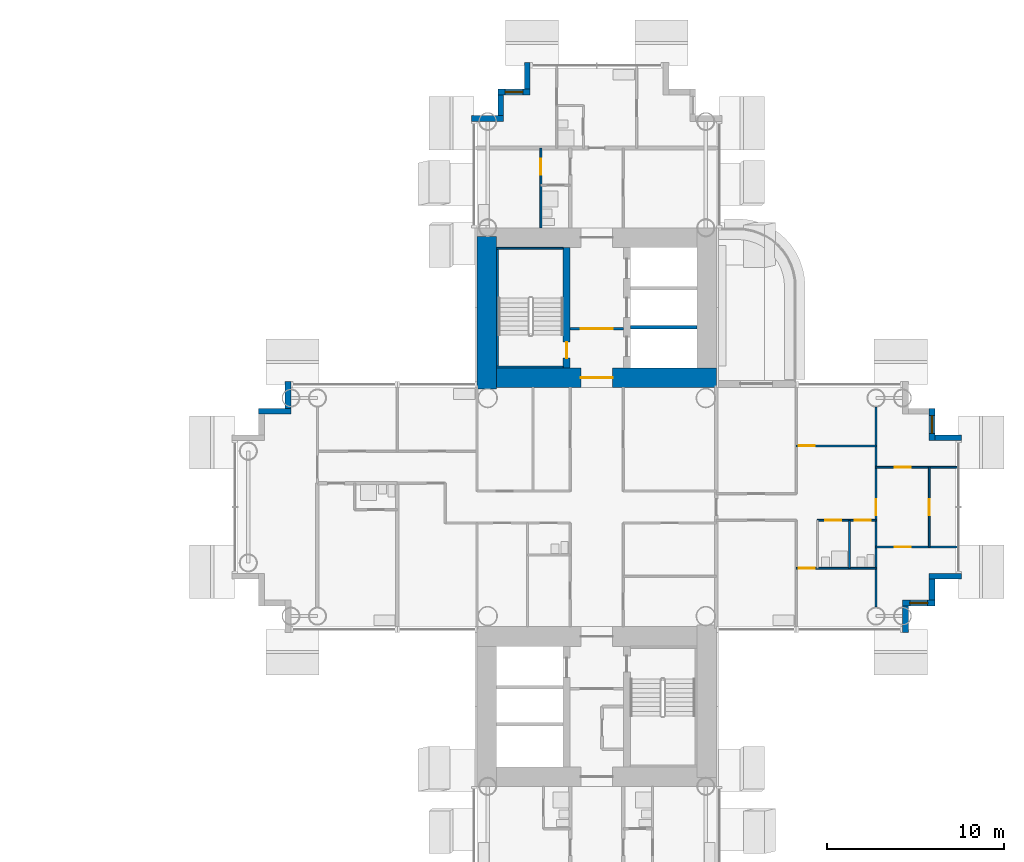
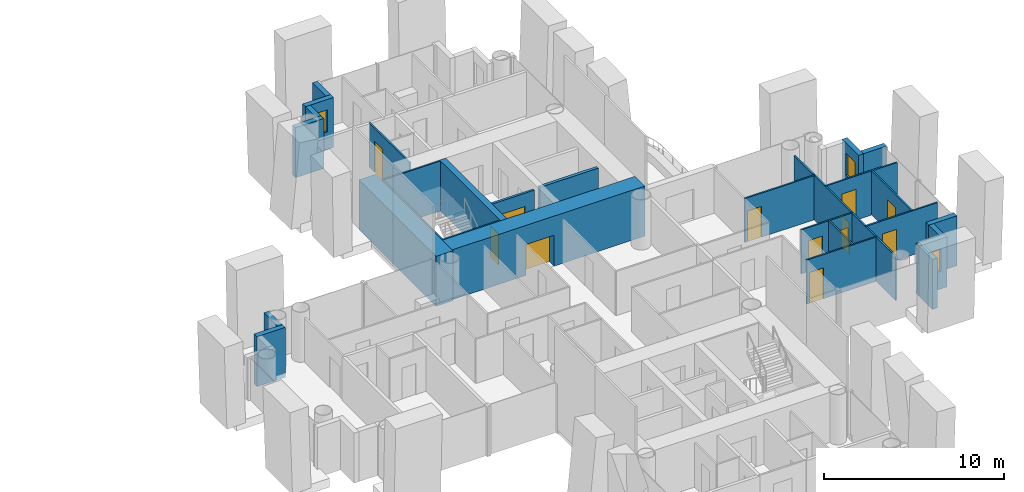
# One storey, part 16 of 25: 29 walls, 12 doors, 3 windows, 15 openings.
"""IFC4 building model written with IfcOpenShell, lengths in metres."""

import ifcopenshell
import ifcopenshell.guid

model = None  # the IFC model being written
_history = None  # IfcOwnerHistory: only IFC2X3 demands one
_inside = {}  # id of a spatial element -> (the spatial element, [elements in it])
_under = {}  # id of a project, library or spatial element -> (it, [spatial elements below it])
_declared = {}  # id of a project -> (the project, [libraries it declares])
_typed = {}  # id of a type object -> (the type object, [elements of that type])
_made_of = {}  # id of a material, layer set ... -> (it, [elements and type objects made of it])


def new_model(schema):
    """Start an empty IFC model of exactly this schema.

    Asked for "IFC4X3", IfcOpenShell would pick the latest addendum, in which some entities
    have other attributes; the version numbers below select the first issue.
    IFC2X3 requires an IfcOwnerHistory on every rooted entity: one is made here for all.
    """
    global model, _history
    if schema == "IFC4X3":
        model = ifcopenshell.file(schema_version=(4, 3, 0, 0))
    else:
        model = ifcopenshell.file(schema=schema)
    _inside.clear()
    _under.clear()
    _declared.clear()
    _typed.clear()
    _made_of.clear()
    _history = None
    if model.schema == "IFC2X3":
        org = make("IfcOrganization", Name="unknown")
        user = make(
            "IfcPersonAndOrganization",
            ThePerson=make("IfcPerson", FamilyName="unknown"),
            TheOrganization=org,
        )
        app = make(
            "IfcApplication",
            ApplicationDeveloper=org,
            Version="unknown",
            ApplicationFullName="unknown",
            ApplicationIdentifier="unknown",
        )
        _history = make(
            "IfcOwnerHistory",
            OwningUser=user,
            OwningApplication=app,
            ChangeAction="ADDED",
            CreationDate=0,
        )
    return model


def make(cls, **values):
    """One entity of the class cls with the attributes given. An attribute that is None is left unset."""
    return model.create_entity(
        cls, **{name: value for name, value in values.items() if value is not None}
    )


def rooted(cls, **values):
    """An entity with a GlobalId (a new one), such as an element, a storey or a relation."""
    return make(cls, GlobalId=ifcopenshell.guid.new(), OwnerHistory=_history, **values)


def si_unit(unit_type, name, prefix=None):
    """IfcSIUnit, for example si_unit("LENGTHUNIT", "METRE", prefix="MILLI")."""
    return make("IfcSIUnit", UnitType=unit_type, Prefix=prefix, Name=name)


def assignment(units):
    """IfcUnitAssignment: the units of a project."""
    return None if units is None else make("IfcUnitAssignment", Units=units)


def point(xyz):
    """IfcCartesianPoint."""
    return None if xyz is None else make("IfcCartesianPoint", Coordinates=xyz)


def direction(xyz):
    """IfcDirection."""
    return None if xyz is None else make("IfcDirection", DirectionRatios=xyz)


def frame(location, z_axis=None, x_axis=None):
    """IfcAxis2Placement3D, a coordinate frame: its origin and axes. An axis left out is left unset."""
    return make(
        "IfcAxis2Placement3D",
        Location=point(location),
        Axis=direction(z_axis),
        RefDirection=direction(x_axis),
    )


def frame_2d(location, x_axis=None):
    """IfcAxis2Placement2D, a coordinate frame in the plane: its origin and x axis."""
    return make(
        "IfcAxis2Placement2D", Location=point(location), RefDirection=direction(x_axis)
    )


def origin():
    """The frame at (0, 0, 0) with its axes left unset."""
    return frame((0.0, 0.0, 0.0))


def place(relative_to, where):
    """IfcLocalPlacement: puts the frame where relative to a parent placement (None: the world)."""
    return make(
        "IfcLocalPlacement", PlacementRelTo=relative_to, RelativePlacement=where
    )


def context(
    kind, dimensions, precision=None, world=None, true_north=None, identifier=None
):
    """IfcGeometricRepresentationContext, for example the 3D "Model" context."""
    return make(
        "IfcGeometricRepresentationContext",
        ContextIdentifier=identifier,
        ContextType=kind,
        CoordinateSpaceDimension=dimensions,
        Precision=precision,
        WorldCoordinateSystem=world,
        TrueNorth=true_north,
    )


def subcontext(parent, identifier, kind, view, scale=None):
    """IfcGeometricRepresentationSubContext, for example "Body" below "Model"."""
    return make(
        "IfcGeometricRepresentationSubContext",
        ContextIdentifier=identifier,
        ContextType=kind,
        ParentContext=parent,
        TargetScale=scale,
        TargetView=view,
    )


def project(units=None, contexts=None):
    """IfcProject with its units and contexts."""
    return rooted(
        "IfcProject",
        Name="project",
        RepresentationContexts=contexts,
        UnitsInContext=assignment(units),
    )


def spatial(cls, under=None, at=None, **own):
    """A site, building, storey or space (cls), placed at a placement, below another one or the project."""
    s = rooted(cls, ObjectPlacement=at, **own)
    if under is not None:
        _under.setdefault(under.id(), (under, []))[1].append(s)
    return s


def profile(cls, at=None, kind="AREA", **sizes):
    """A parametric profile (cls). Its sizes go by their IFC names, for example OverallWidth=200.0."""
    return make(cls, ProfileType=kind, Position=at, **sizes)


def rectangle(**sizes):
    """IfcRectangleProfileDef."""
    return profile("IfcRectangleProfileDef", **sizes)


def extrude(swept, where, along, depth):
    """IfcExtrudedAreaSolid: the profile swept, set in the frame where, extruded along a direction by depth."""
    return make(
        "IfcExtrudedAreaSolid",
        SweptArea=swept,
        Position=where,
        ExtrudedDirection=direction(along),
        Depth=depth,
    )


def shape(context_of_items, identifier, shape_type, items):
    """IfcShapeRepresentation: the items that make up one representation, for example the "Body"."""
    return make(
        "IfcShapeRepresentation",
        ContextOfItems=context_of_items,
        RepresentationIdentifier=identifier,
        RepresentationType=shape_type,
        Items=items,
    )


def material(Name=None, Category=None):
    """IfcMaterial."""
    return make("IfcMaterial", Name=Name, Category=Category)


def layer(
    of_material, thickness, ventilated=None, Name=None, Category=None, Priority=None
):
    """IfcMaterialLayer: one layer of a wall or slab, of a material (None: an air gap)."""
    return make(
        "IfcMaterialLayer",
        Material=of_material,
        LayerThickness=thickness,
        IsVentilated=ventilated,
        Name=Name,
        Category=Category,
        Priority=Priority,
    )


def layer_set(layers, Name=None):
    """IfcMaterialLayerSet."""
    return make("IfcMaterialLayerSet", MaterialLayers=layers, LayerSetName=Name)


def made_of(thing, what):
    """Note that an element or type object is made of a material, layer set ...; save() writes the relation."""
    if what is not None:
        _made_of.setdefault(what.id(), (what, []))[1].append(thing)
    return thing


def type_object(cls, material=None, **own):
    """A type object (cls), such as IfcWallType, which elements share."""
    return made_of(rooted(cls, **own), material)


def element(
    cls,
    number,
    at=None,
    inside=None,
    cuts=None,
    type_object=None,
    material=None,
    context=None,
    identifier="Body",
    shape_type=None,
    held_by="IfcProductDefinitionShape",
    body=None,
    shapes=None,
    **own,
):
    """One element of the class cls, such as IfcWall. Its Tag is "e" and its number.

    at: its placement. inside: the storey or other place that contains it. cuts: it is an
    opening in that element (IfcRelVoidsElement). A single representation is given by context,
    identifier, shape_type and body (its items); several are given by shapes. held_by: the class
    of the entity that holds the representations. save() writes the other relations.
    """
    e = rooted(cls, Tag="e%d" % number, ObjectPlacement=at, **own)
    if body is not None:
        shapes = [shape(context, identifier, shape_type, body)]
    if shapes is not None:
        e.Representation = make(held_by, Representations=shapes)
    if inside is not None:
        _inside.setdefault(inside.id(), (inside, []))[1].append(e)
    if cuts is not None:
        rooted(
            "IfcRelVoidsElement", RelatingBuildingElement=cuts, RelatedOpeningElement=e
        )
    if type_object is not None:
        _typed.setdefault(type_object.id(), (type_object, []))[1].append(e)
    return made_of(e, material)


def fill(opening, filler):
    """IfcRelFillsElement: the door or window that sits in an opening."""
    return rooted(
        "IfcRelFillsElement",
        RelatingOpeningElement=opening,
        RelatedBuildingElement=filler,
    )


def aggregate(whole, parts):
    """IfcRelAggregates: a whole, such as a stair, and the parts it consists of."""
    return rooted("IfcRelAggregates", RelatingObject=whole, RelatedObjects=parts)


def save(model, path):
    """Write the relations noted so far, then the file.

    IfcRelAggregates (storeys below a building ...), IfcRelContainedInSpatialStructure (elements
    in a storey), IfcRelDefinesByType, IfcRelAssociatesMaterial and IfcRelDeclares: one each for
    every whole, place, type object, material and project.
    """
    for whole, parts in _under.values():
        aggregate(whole, parts)
    for where, things in _inside.values():
        rooted(
            "IfcRelContainedInSpatialStructure",
            RelatedElements=things,
            RelatingStructure=where,
        )
    for kind, things in _typed.values():
        rooted("IfcRelDefinesByType", RelatedObjects=things, RelatingType=kind)
    for what, things in _made_of.values():
        rooted("IfcRelAssociatesMaterial", RelatedObjects=things, RelatingMaterial=what)
    for by, libraries in _declared.values():
        rooted("IfcRelDeclares", RelatingContext=by, RelatedDefinitions=libraries)
    model.write(path)


model = new_model("IFC4")

# Units and contexts
model_context = context("Model", 3, precision=1e-05, world=origin(), true_north=direction((0.0, 1.0)))
body_context = subcontext(model_context, "Body", "Model", "MODEL_VIEW")
ifc_project = project(units=[si_unit("LENGTHUNIT", "METRE"), si_unit("AREAUNIT", "SQUARE_METRE"), si_unit("VOLUMEUNIT", "CUBIC_METRE"), si_unit("PLANEANGLEUNIT", "RADIAN"), si_unit("MASSUNIT", "GRAM", prefix="KILO")], contexts=[model_context])

# Site, building, storey
site_placement = place(None, origin())
site = spatial("IfcSite", under=ifc_project, at=site_placement, CompositionType="ELEMENT")
building_placement = place(site_placement, origin())
building = spatial("IfcBuilding", under=site, at=building_placement, Name="Ipe Terrace Towers", CompositionType="ELEMENT")
storey_placement = place(building_placement, frame((0.0, 0.0, 65.300048828125)))
storey = spatial("IfcBuildingStorey", under=building, at=storey_placement, Name="L17", CompositionType="ELEMENT", Elevation=65.300048828125)

# Wall
ifc_material_1 = material(Name="Concrete C40/50 with buff precast cladding", Category="concrete")
ifc_layer_1 = layer(ifc_material_1, 0.320068359375)
ifc_layer_set_1 = layer_set([ifc_layer_1], Name="BUFF CLADDING WALL 320")
wall_type_1 = type_object("IfcWallType", Name="BUFF CLADDING WALL 320", PredefinedType="STANDARD", material=ifc_layer_set_1)
wall_1_placement = place(storey_placement, frame((53.409912109375, -7.070068359375, -0.300048828125), z_axis=(0.0, 0.0, 1.0), x_axis=(0.0, 1.0, 0.0)))
element("IfcWall", 1, at=wall_1_placement, inside=storey, type_object=wall_type_1, Name="T2-W-L17-08a wall", PredefinedType="STANDARD", context=body_context, shape_type="SweptSolid", body=[
    extrude(rectangle(XDim=1.5, YDim=0.320068359375, at=frame_2d((0.75, 0.0))), origin(), (0.0, 0.0, 1.0), 3.39990234375),
])

# Wall, opening, window
wall_2_placement = place(storey_placement, frame((53.25, -5.409912109375, -0.300048828125), z_axis=(0.0, 0.0, 1.0), x_axis=(1.0, 0.0, 0.0)))
wall_2 = element("IfcWall", 2, at=wall_2_placement, inside=storey, type_object=wall_type_1, Name="T2-W-L17-09a wall", PredefinedType="STANDARD", context=body_context, shape_type="SweptSolid", body=[
    extrude(rectangle(XDim=1.820068359375, YDim=0.320068359375, at=frame_2d((0.91015625, 0.0))), origin(), (0.0, 0.0, 1.0), 3.39990234375),
])
opening_1_placement = place(wall_2_placement, frame((0.409912109375, 0.0, 1.199951171875)))
opening_1 = element("IfcOpeningElement", 3, at=opening_1_placement, cuts=wall_2, Name="Opening T2-W-05-L17-02", PredefinedType="OPENING", context=body_context, shape_type="SweptSolid", body=[
    extrude(rectangle(XDim=1.0, YDim=1.5, at=frame_2d((0.5, 0.75))), frame((0.0, 0.169921875, 0.0), z_axis=(0.0, -1.0, 0.0), x_axis=(1.0, 0.0, 0.0)), (0.0, 0.0, 1.0), 0.340087890625),
])
ifc_material_2 = material(Name="Glass, clear laminated", Category="glass")
window_type = type_object("IfcWindowType", Name="DWELLING WINDOW 1000 x 1500", PartitioningType="SINGLE_PANEL", PredefinedType="WINDOW", material=ifc_material_2)
window_1_placement = place(opening_1_placement, origin())
window_1 = element("IfcWindow", 4, at=window_1_placement, inside=storey, type_object=window_type, Name="W-05 window", OverallHeight=1.5, OverallWidth=1.0, PartitioningType="SINGLE_PANEL", PredefinedType="WINDOW", context=body_context, shape_type="SweptSolid", body=[
    extrude(rectangle(XDim=1.0, YDim=1.5, at=frame_2d((0.5, 0.75))), frame((0.0, 0.030029296875, 0.0), z_axis=(0.0, -1.0, 0.0), x_axis=(1.0, 0.0, 0.0)), (0.0, 0.0, 1.0), 0.06005859375),
])
fill(opening_1, window_1)

# Walls
wall_3_placement = place(storey_placement, frame((54.909912109375, -5.25, -0.300048828125), z_axis=(0.0, 0.0, 1.0), x_axis=(0.0, 1.0, 0.0)))
element("IfcWall", 5, at=wall_3_placement, inside=storey, type_object=wall_type_1, Name="T2-W-L17-10a wall", PredefinedType="STANDARD", context=body_context, shape_type="SweptSolid", body=[
    extrude(rectangle(XDim=1.179931640625, YDim=0.320068359375, at=frame_2d((0.58984375, 0.0))), origin(), (0.0, 0.0, 1.0), 3.39990234375),
])
wall_4_placement = place(storey_placement, frame((54.75, -3.909912109375, -0.300048828125), z_axis=(0.0, 0.0, 1.0), x_axis=(1.0, 0.0, 0.0)))
element("IfcWall", 6, at=wall_4_placement, inside=storey, type_object=wall_type_1, Name="T2-W-L17-11a wall", PredefinedType="STANDARD", context=body_context, shape_type="SweptSolid", body=[
    extrude(rectangle(XDim=1.820068359375, YDim=0.320068359375, at=frame_2d((0.91015625, 0.0))), origin(), (0.0, 0.0, 1.0), 3.39990234375),
])
wall_5_placement = place(storey_placement, frame((56.570068359375, 3.909912109375, -0.300048828125), z_axis=(0.0, 0.0, 1.0), x_axis=(-1.0, 0.0, 0.0)))
element("IfcWall", 7, at=wall_5_placement, inside=storey, type_object=wall_type_1, Name="T2-W-L17-13a wall", PredefinedType="STANDARD", context=body_context, shape_type="SweptSolid", body=[
    extrude(rectangle(XDim=1.5, YDim=0.320068359375, at=frame_2d((0.75, 0.0))), origin(), (0.0, 0.0, 1.0), 3.39990234375),
])

# Wall, opening, window
wall_6_placement = place(storey_placement, frame((54.909912109375, 3.75, -0.300048828125), z_axis=(0.0, 0.0, 1.0), x_axis=(0.0, 1.0, 0.0)))
wall_6 = element("IfcWall", 8, at=wall_6_placement, inside=storey, type_object=wall_type_1, Name="T2-W-L17-14a wall", PredefinedType="STANDARD", context=body_context, shape_type="SweptSolid", body=[
    extrude(rectangle(XDim=1.820068359375, YDim=0.320068359375, at=frame_2d((0.91015625, 0.0))), origin(), (0.0, 0.0, 1.0), 3.39990234375),
])
opening_2_placement = place(wall_6_placement, frame((0.409912109375, 0.0, 1.199951171875)))
opening_2 = element("IfcOpeningElement", 9, at=opening_2_placement, cuts=wall_6, Name="Opening T2-W-05-L17-01", PredefinedType="OPENING", context=body_context, shape_type="SweptSolid", body=[
    extrude(rectangle(XDim=1.0, YDim=1.5, at=frame_2d((0.5, 0.75))), frame((0.0, 0.169921875, 0.0), z_axis=(0.0, -1.0, 0.0), x_axis=(1.0, 0.0, 0.0)), (0.0, 0.0, 1.0), 0.340087890625),
])
window_2_placement = place(opening_2_placement, origin())
window_2 = element("IfcWindow", 10, at=window_2_placement, inside=storey, type_object=window_type, Name="W-05 window", OverallHeight=1.5, OverallWidth=1.0, PartitioningType="SINGLE_PANEL", PredefinedType="WINDOW", context=body_context, shape_type="SweptSolid", body=[
    extrude(rectangle(XDim=1.0, YDim=1.5, at=frame_2d((0.5, 0.75))), frame((0.0, 0.030029296875, 0.0), z_axis=(0.0, -1.0, 0.0), x_axis=(1.0, 0.0, 0.0)), (0.0, 0.0, 1.0), 0.06005859375),
])
fill(opening_2, window_2)

# Wall
wall_7_placement = place(storey_placement, frame((32.090087890625, 25.070068359375, -0.300048828125), z_axis=(0.0, 0.0, 1.0), x_axis=(0.0, -1.0, 0.0)))
element("IfcWall", 11, at=wall_7_placement, inside=storey, type_object=wall_type_1, Name="T2-W-L17-26a wall", PredefinedType="STANDARD", context=body_context, shape_type="SweptSolid", body=[
    extrude(rectangle(XDim=1.5, YDim=0.320068359375, at=frame_2d((0.75, 0.0))), origin(), (0.0, 0.0, 1.0), 3.39990234375),
])

# Wall, opening, window
wall_8_placement = place(storey_placement, frame((32.25, 23.409912109375, -0.300048828125), z_axis=(0.0, 0.0, 1.0), x_axis=(-1.0, 0.0, 0.0)))
wall_8 = element("IfcWall", 12, at=wall_8_placement, inside=storey, type_object=wall_type_1, Name="T2-W-L17-27a wall", PredefinedType="STANDARD", context=body_context, shape_type="SweptSolid", body=[
    extrude(rectangle(XDim=1.820068359375, YDim=0.320068359375, at=frame_2d((0.91015625, 0.0))), origin(), (0.0, 0.0, 1.0), 3.39990234375),
])
opening_3_placement = place(wall_8_placement, frame((0.409912109375, 0.0, 1.199951171875)))
opening_3 = element("IfcOpeningElement", 13, at=opening_3_placement, cuts=wall_8, Name="Opening T2-W-05-L17-03", PredefinedType="OPENING", context=body_context, shape_type="SweptSolid", body=[
    extrude(rectangle(XDim=1.0, YDim=1.5, at=frame_2d((0.5, 0.75))), frame((0.0, 0.169921875, 0.0), z_axis=(0.0, -1.0, 0.0), x_axis=(1.0, 0.0, 0.0)), (0.0, 0.0, 1.0), 0.340087890625),
])
window_3_placement = place(opening_3_placement, origin())
window_3 = element("IfcWindow", 14, at=window_3_placement, inside=storey, type_object=window_type, Name="W-05 window", OverallHeight=1.5, OverallWidth=1.0, PartitioningType="SINGLE_PANEL", PredefinedType="WINDOW", context=body_context, shape_type="SweptSolid", body=[
    extrude(rectangle(XDim=1.0, YDim=1.5, at=frame_2d((0.5, 0.75))), frame((0.0, 0.030029296875, 0.0), z_axis=(0.0, -1.0, 0.0), x_axis=(1.0, 0.0, 0.0)), (0.0, 0.0, 1.0), 0.06005859375),
])
fill(opening_3, window_3)

# Walls
wall_9_placement = place(storey_placement, frame((30.590087890625, 23.25, -0.300048828125), z_axis=(0.0, 0.0, 1.0), x_axis=(0.0, -1.0, 0.0)))
element("IfcWall", 15, at=wall_9_placement, inside=storey, type_object=wall_type_1, Name="T2-W-L17-28a wall", PredefinedType="STANDARD", context=body_context, shape_type="SweptSolid", body=[
    extrude(rectangle(XDim=1.179931640625, YDim=0.320068359375, at=frame_2d((0.58984375, 0.0))), origin(), (0.0, 0.0, 1.0), 3.39990234375),
])
wall_10_placement = place(storey_placement, frame((30.75, 21.909912109375, -0.300048828125), z_axis=(0.0, 0.0, 1.0), x_axis=(-1.0, 0.0, 0.0)))
element("IfcWall", 16, at=wall_10_placement, inside=storey, type_object=wall_type_1, Name="T2-W-L17-29a wall", PredefinedType="STANDARD", context=body_context, shape_type="SweptSolid", body=[
    extrude(rectangle(XDim=1.820068359375, YDim=0.320068359375, at=frame_2d((0.91015625, 0.0))), origin(), (0.0, 0.0, 1.0), 3.39990234375),
])
wall_11_placement = place(storey_placement, frame((18.590087890625, 7.070068359375, -0.300048828125), z_axis=(0.0, 0.0, 1.0), x_axis=(0.0, -1.0, 0.0)))
element("IfcWall", 17, at=wall_11_placement, inside=storey, type_object=wall_type_1, Name="T2-W-L17-34a wall", PredefinedType="STANDARD", context=body_context, shape_type="SweptSolid", body=[
    extrude(rectangle(XDim=1.5, YDim=0.320068359375, at=frame_2d((0.75, 0.0))), origin(), (0.0, 0.0, 1.0), 3.39990234375),
])
wall_12_placement = place(storey_placement, frame((18.75, 5.409912109375, -0.300048828125), z_axis=(0.0, 0.0, 1.0), x_axis=(-1.0, 0.0, 0.0)))
element("IfcWall", 18, at=wall_12_placement, inside=storey, type_object=wall_type_1, Name="T2-W-L17-35a wall", PredefinedType="STANDARD", context=body_context, shape_type="SweptSolid", body=[
    extrude(rectangle(XDim=1.820068359375, YDim=0.320068359375, at=frame_2d((0.91015625, 0.0))), origin(), (0.0, 0.0, 1.0), 3.39990234375),
])

# Wall, opening, door
ifc_material_3 = material(Name="Gypsum board partition", Category="plasterboard")
ifc_layer_2 = layer(ifc_material_3, 0.10009765625)
ifc_layer_set_2 = layer_set([ifc_layer_2], Name="Gypsum board partition 100 mm")
wall_type_2 = type_object("IfcWallType", Name="Gypsum board partition 100 mm", PredefinedType="PARTITIONING", material=ifc_layer_set_2)
wall_13_placement = place(storey_placement, frame((51.75, -3.449951171875, 0.0), z_axis=(0.0, 0.0, 1.0), x_axis=(-1.0, 0.0, 0.0)))
wall_13 = element("IfcWall", 19, at=wall_13_placement, inside=storey, type_object=wall_type_2, Name="Gypsum board partition T2 L17 W07", PredefinedType="PARTITIONING", context=body_context, shape_type="SweptSolid", body=[
    extrude(rectangle(XDim=4.5, YDim=0.10009765625, at=frame_2d((2.25, 0.0))), origin(), (0.0, 0.0, 1.0), 3.0),
])
opening_4_placement = place(wall_13_placement, frame((3.449951171875, 0.0, 0.0)))
opening_4 = element("IfcOpeningElement", 20, at=opening_4_placement, cuts=wall_13, Name="Opening T2-Z1E-21", PredefinedType="OPENING", context=body_context, shape_type="SweptSolid", body=[
    extrude(rectangle(XDim=0.89990234375, YDim=2.10009765625, at=frame_2d((0.449951171875, 1.050048828125))), frame((0.0, 0.06005859375, 0.0), z_axis=(0.0, -1.0, 0.0), x_axis=(1.0, 0.0, 0.0)), (0.0, 0.0, 1.0), 0.1201171875),
])
ifc_material_4 = material(Name="Timber door leaf", Category="wood")
door_type_1 = type_object("IfcDoorType", Name="Bedroom door 900 x 2100", OperationType="NOTDEFINED", PredefinedType="DOOR", material=ifc_material_4)
door_1_placement = place(opening_4_placement, origin())
door_1 = element("IfcDoor", 21, at=door_1_placement, inside=storey, type_object=door_type_1, Name="Bedroom door T2-Z1E-21", OperationType="SINGLE_SWING_LEFT", OverallHeight=2.10009765625, OverallWidth=0.89990234375, PredefinedType="DOOR", context=body_context, shape_type="SweptSolid", body=[
    extrude(rectangle(XDim=0.89990234375, YDim=2.10009765625, at=frame_2d((0.449951171875, 1.050048828125))), frame((0.0, 0.02490234375, 0.0), z_axis=(0.0, -1.0, 0.0), x_axis=(1.0, 0.0, 0.0)), (0.0, 0.0, 1.0), 0.050048828125),
])
fill(opening_4, door_1)

wall_14_placement = place(storey_placement, frame((56.35009765625, -2.25, 0.0), z_axis=(0.0, 0.0, 1.0), x_axis=(-1.0, 0.0, 0.0)))
wall_14 = element("IfcWall", 22, at=wall_14_placement, inside=storey, type_object=wall_type_2, Name="Gypsum board partition T2 L17 W09", PredefinedType="PARTITIONING", context=body_context, shape_type="SweptSolid", body=[
    extrude(rectangle(XDim=4.60009765625, YDim=0.10009765625, at=frame_2d((2.300048828125, 0.0))), origin(), (0.0, 0.0, 1.0), 3.0),
])
opening_5_placement = place(wall_14_placement, frame((2.64990234375, 0.0, 0.0)))
opening_5 = element("IfcOpeningElement", 23, at=opening_5_placement, cuts=wall_14, Name="Opening T2-Z1E-25", PredefinedType="OPENING", context=body_context, shape_type="SweptSolid", body=[
    extrude(rectangle(XDim=0.89990234375, YDim=2.10009765625, at=frame_2d((0.449951171875, 1.050048828125))), frame((0.0, 0.06005859375, 0.0), z_axis=(0.0, -1.0, 0.0), x_axis=(1.0, 0.0, 0.0)), (0.0, 0.0, 1.0), 0.1201171875),
])
door_2_placement = place(opening_5_placement, origin())
door_2 = element("IfcDoor", 24, at=door_2_placement, inside=storey, type_object=door_type_1, Name="Bedroom door T2-Z1E-25", OperationType="SINGLE_SWING_LEFT", OverallHeight=2.10009765625, OverallWidth=0.89990234375, PredefinedType="DOOR", context=body_context, shape_type="SweptSolid", body=[
    extrude(rectangle(XDim=0.89990234375, YDim=2.10009765625, at=frame_2d((0.449951171875, 1.050048828125))), frame((0.0, 0.02490234375, 0.0), z_axis=(0.0, -1.0, 0.0), x_axis=(1.0, 0.0, 0.0)), (0.0, 0.0, 1.0), 0.050048828125),
])
fill(opening_5, door_2)

# Wall, openings, doors
wall_15_placement = place(storey_placement, frame((51.75, -0.75, 0.0), z_axis=(0.0, 0.0, 1.0), x_axis=(-1.0, 0.0, 0.0)))
wall_15 = element("IfcWall", 25, at=wall_15_placement, inside=storey, type_object=wall_type_2, Name="Gypsum board partition T2 L17 W12", PredefinedType="PARTITIONING", context=body_context, shape_type="SweptSolid", body=[
    extrude(rectangle(XDim=3.300048828125, YDim=0.10009765625, at=frame_2d((1.64990234375, 0.0))), origin(), (0.0, 0.0, 1.0), 3.0),
])
opening_6_placement = place(wall_15_placement, frame((1.949951171875, 0.0, 0.0)))
opening_6 = element("IfcOpeningElement", 26, at=opening_6_placement, cuts=wall_15, Name="Opening T2-Z1E-18", PredefinedType="OPENING", context=body_context, shape_type="SweptSolid", body=[
    extrude(rectangle(XDim=0.89990234375, YDim=2.10009765625, at=frame_2d((0.449951171875, 1.050048828125))), frame((0.0, 0.06005859375, 0.0), z_axis=(0.0, -1.0, 0.0), x_axis=(1.0, 0.0, 0.0)), (0.0, 0.0, 1.0), 0.1201171875),
])
opening_7_placement = place(wall_15_placement, frame((0.300048828125, 0.0, 0.0)))
opening_7 = element("IfcOpeningElement", 27, at=opening_7_placement, cuts=wall_15, Name="Opening T2-Z1E-19", PredefinedType="OPENING", context=body_context, shape_type="SweptSolid", body=[
    extrude(rectangle(XDim=0.89990234375, YDim=2.10009765625, at=frame_2d((0.449951171875, 1.050048828125))), frame((0.0, 0.06005859375, 0.0), z_axis=(0.0, -1.0, 0.0), x_axis=(1.0, 0.0, 0.0)), (0.0, 0.0, 1.0), 0.1201171875),
])
ifc_material_5 = material(Name="Timber door leaf", Category="wood")
door_type_2 = type_object("IfcDoorType", Name="Bathroom door 900 x 2100", OperationType="NOTDEFINED", PredefinedType="DOOR", material=ifc_material_5)
door_3_placement = place(opening_6_placement, origin())
door_3 = element("IfcDoor", 28, at=door_3_placement, inside=storey, type_object=door_type_2, Name="Bathroom door T2-Z1E-18", OperationType="SINGLE_SWING_LEFT", OverallHeight=2.10009765625, OverallWidth=0.89990234375, PredefinedType="DOOR", context=body_context, shape_type="SweptSolid", body=[
    extrude(rectangle(XDim=0.89990234375, YDim=2.10009765625, at=frame_2d((0.449951171875, 1.050048828125))), frame((0.0, 0.02490234375, 0.0), z_axis=(0.0, -1.0, 0.0), x_axis=(1.0, 0.0, 0.0)), (0.0, 0.0, 1.0), 0.050048828125),
])
fill(opening_6, door_3)
door_4_placement = place(opening_7_placement, origin())
door_4 = element("IfcDoor", 29, at=door_4_placement, inside=storey, type_object=door_type_2, Name="Bathroom door T2-Z1E-19", OperationType="SINGLE_SWING_RIGHT", OverallHeight=2.10009765625, OverallWidth=0.89990234375, PredefinedType="DOOR", context=body_context, shape_type="SweptSolid", body=[
    extrude(rectangle(XDim=0.89990234375, YDim=2.10009765625, at=frame_2d((0.449951171875, 1.050048828125))), frame((0.0, 0.02490234375, 0.0), z_axis=(0.0, -1.0, 0.0), x_axis=(1.0, 0.0, 0.0)), (0.0, 0.0, 1.0), 0.050048828125),
])
fill(opening_7, door_4)

# Wall, opening, door
wall_16_placement = place(storey_placement, frame((56.35009765625, 2.25, 0.0), z_axis=(0.0, 0.0, 1.0), x_axis=(-1.0, 0.0, 0.0)))
wall_16 = element("IfcWall", 30, at=wall_16_placement, inside=storey, type_object=wall_type_2, Name="Gypsum board partition T2 L17 W20", PredefinedType="PARTITIONING", context=body_context, shape_type="SweptSolid", body=[
    extrude(rectangle(XDim=4.60009765625, YDim=0.10009765625, at=frame_2d((2.300048828125, 0.0))), origin(), (0.0, 0.0, 1.0), 3.0),
])
opening_8_placement = place(wall_16_placement, frame((2.64990234375, 0.0, 0.0)))
opening_8 = element("IfcOpeningElement", 31, at=opening_8_placement, cuts=wall_16, Name="Opening T2-Z1E-24", PredefinedType="OPENING", context=body_context, shape_type="SweptSolid", body=[
    extrude(rectangle(XDim=0.89990234375, YDim=2.10009765625, at=frame_2d((0.449951171875, 1.050048828125))), frame((0.0, 0.06005859375, 0.0), z_axis=(0.0, -1.0, 0.0), x_axis=(1.0, 0.0, 0.0)), (0.0, 0.0, 1.0), 0.1201171875),
])
door_5_placement = place(opening_8_placement, origin())
door_5 = element("IfcDoor", 32, at=door_5_placement, inside=storey, type_object=door_type_1, Name="Bedroom door T2-Z1E-24", OperationType="SINGLE_SWING_RIGHT", OverallHeight=2.10009765625, OverallWidth=0.89990234375, PredefinedType="DOOR", context=body_context, shape_type="SweptSolid", body=[
    extrude(rectangle(XDim=0.89990234375, YDim=2.10009765625, at=frame_2d((0.449951171875, 1.050048828125))), frame((0.0, 0.02490234375, 0.0), z_axis=(0.0, -1.0, 0.0), x_axis=(1.0, 0.0, 0.0)), (0.0, 0.0, 1.0), 0.050048828125),
])
fill(opening_8, door_5)

wall_17_placement = place(storey_placement, frame((51.75, 3.449951171875, 0.0), z_axis=(0.0, 0.0, 1.0), x_axis=(-1.0, 0.0, 0.0)))
wall_17 = element("IfcWall", 33, at=wall_17_placement, inside=storey, type_object=wall_type_2, Name="Gypsum board partition T2 L17 W22", PredefinedType="PARTITIONING", context=body_context, shape_type="SweptSolid", body=[
    extrude(rectangle(XDim=4.5, YDim=0.10009765625, at=frame_2d((2.25, 0.0))), origin(), (0.0, 0.0, 1.0), 3.0),
])
opening_9_placement = place(wall_17_placement, frame((3.449951171875, 0.0, 0.0)))
opening_9 = element("IfcOpeningElement", 34, at=opening_9_placement, cuts=wall_17, Name="Opening T2-Z1E-20", PredefinedType="OPENING", context=body_context, shape_type="SweptSolid", body=[
    extrude(rectangle(XDim=0.89990234375, YDim=2.10009765625, at=frame_2d((0.449951171875, 1.050048828125))), frame((0.0, 0.06005859375, 0.0), z_axis=(0.0, -1.0, 0.0), x_axis=(1.0, 0.0, 0.0)), (0.0, 0.0, 1.0), 0.1201171875),
])
door_6_placement = place(opening_9_placement, origin())
door_6 = element("IfcDoor", 35, at=door_6_placement, inside=storey, type_object=door_type_1, Name="Bedroom door T2-Z1E-20", OperationType="SINGLE_SWING_RIGHT", OverallHeight=2.10009765625, OverallWidth=0.89990234375, PredefinedType="DOOR", context=body_context, shape_type="SweptSolid", body=[
    extrude(rectangle(XDim=0.89990234375, YDim=2.10009765625, at=frame_2d((0.449951171875, 1.050048828125))), frame((0.0, 0.02490234375, 0.0), z_axis=(0.0, -1.0, 0.0), x_axis=(1.0, 0.0, 0.0)), (0.0, 0.0, 1.0), 0.050048828125),
])
fill(opening_9, door_6)

wall_18_placement = place(storey_placement, frame((54.75, -2.25, 0.0), z_axis=(0.0, 0.0, 1.0), x_axis=(0.0, 1.0, 0.0)))
wall_18 = element("IfcWall", 36, at=wall_18_placement, inside=storey, type_object=wall_type_2, Name="Gypsum board partition T2 L17 W26", PredefinedType="PARTITIONING", context=body_context, shape_type="SweptSolid", body=[
    extrude(rectangle(XDim=4.5, YDim=0.10009765625, at=frame_2d((2.25, 0.0))), origin(), (0.0, 0.0, 1.0), 3.0),
])
opening_10_placement = place(wall_18_placement, frame((1.800048828125, 0.0, 0.0)))
opening_10 = element("IfcOpeningElement", 37, at=opening_10_placement, cuts=wall_18, Name="Opening T2-Z1E-22", PredefinedType="OPENING", context=body_context, shape_type="SweptSolid", body=[
    extrude(rectangle(XDim=0.89990234375, YDim=2.10009765625, at=frame_2d((0.449951171875, 1.050048828125))), frame((0.0, 0.06005859375, 0.0), z_axis=(0.0, -1.0, 0.0), x_axis=(1.0, 0.0, 0.0)), (0.0, 0.0, 1.0), 0.1201171875),
])
ifc_material_6 = material(Name="Timber door leaf", Category="wood")
door_type_3 = type_object("IfcDoorType", Name="Store door 900 x 2100", OperationType="NOTDEFINED", PredefinedType="DOOR", material=ifc_material_6)
door_7_placement = place(opening_10_placement, origin())
door_7 = element("IfcDoor", 38, at=door_7_placement, inside=storey, type_object=door_type_3, Name="Store door T2-Z1E-22", OperationType="SINGLE_SWING_RIGHT", OverallHeight=2.10009765625, OverallWidth=0.89990234375, PredefinedType="DOOR", context=body_context, shape_type="SweptSolid", body=[
    extrude(rectangle(XDim=0.89990234375, YDim=2.10009765625, at=frame_2d((0.449951171875, 1.050048828125))), frame((0.0, 0.02490234375, 0.0), z_axis=(0.0, -1.0, 0.0), x_axis=(1.0, 0.0, 0.0)), (0.0, 0.0, 1.0), 0.050048828125),
])
fill(opening_10, door_7)

wall_19_placement = place(storey_placement, frame((51.75, -5.64990234375, 0.0), z_axis=(0.0, 0.0, 1.0), x_axis=(0.0, 1.0, 0.0)))
wall_19 = element("IfcWall", 39, at=wall_19_placement, inside=storey, type_object=wall_type_2, Name="Gypsum board partition T2 L17 W27", PredefinedType="PARTITIONING", context=body_context, shape_type="SweptSolid", body=[
    extrude(rectangle(XDim=11.2998046875, YDim=0.10009765625, at=frame_2d((5.64990234375, 0.0))), origin(), (0.0, 0.0, 1.0), 3.0),
])
opening_11_placement = place(wall_19_placement, frame((5.199951171875, 0.0, 0.0)))
opening_11 = element("IfcOpeningElement", 40, at=opening_11_placement, cuts=wall_19, Name="Opening T2-Z1E-23", PredefinedType="OPENING", context=body_context, shape_type="SweptSolid", body=[
    extrude(rectangle(XDim=0.89990234375, YDim=2.10009765625, at=frame_2d((0.449951171875, 1.050048828125))), frame((0.0, 0.06005859375, 0.0), z_axis=(0.0, -1.0, 0.0), x_axis=(1.0, 0.0, 0.0)), (0.0, 0.0, 1.0), 0.1201171875),
])
ifc_material_7 = material(Name="Timber door leaf", Category="wood")
door_type_4 = type_object("IfcDoorType", Name="Lounge door 900 x 2100", OperationType="NOTDEFINED", PredefinedType="DOOR", material=ifc_material_7)
door_8_placement = place(opening_11_placement, origin())
door_8 = element("IfcDoor", 41, at=door_8_placement, inside=storey, type_object=door_type_4, Name="Lounge door T2-Z1E-23", OperationType="SINGLE_SWING_RIGHT", OverallHeight=2.10009765625, OverallWidth=0.89990234375, PredefinedType="DOOR", context=body_context, shape_type="SweptSolid", body=[
    extrude(rectangle(XDim=0.89990234375, YDim=2.10009765625, at=frame_2d((0.449951171875, 1.050048828125))), frame((0.0, 0.02490234375, 0.0), z_axis=(0.0, -1.0, 0.0), x_axis=(1.0, 0.0, 0.0)), (0.0, 0.0, 1.0), 0.050048828125),
])
fill(opening_11, door_8)

# Wall
wall_20_placement = place(storey_placement, frame((50.25, -3.449951171875, 0.0), z_axis=(0.0, 0.0, 1.0), x_axis=(0.0, 1.0, 0.0)))
element("IfcWall", 42, at=wall_20_placement, inside=storey, type_object=wall_type_2, Name="Gypsum board partition T2 L17 W28", PredefinedType="PARTITIONING", context=body_context, shape_type="SweptSolid", body=[
    extrude(rectangle(XDim=2.699951171875, YDim=0.10009765625, at=frame_2d((1.35009765625, 0.0))), origin(), (0.0, 0.0, 1.0), 3.0),
])

# Wall, opening, door
wall_21_placement = place(storey_placement, frame((32.85009765625, 15.75, 0.0), z_axis=(0.0, 0.0, 1.0), x_axis=(0.0, 1.0, 0.0)))
wall_21 = element("IfcWall", 43, at=wall_21_placement, inside=storey, type_object=wall_type_2, Name="Gypsum board partition T2 L17 W46", PredefinedType="PARTITIONING", context=body_context, shape_type="SweptSolid", body=[
    extrude(rectangle(XDim=4.5, YDim=0.10009765625, at=frame_2d((2.25, 0.0))), origin(), (0.0, 0.0, 1.0), 3.0),
])
opening_12_placement = place(wall_21_placement, frame((3.0, 0.0, 0.0)))
opening_12 = element("IfcOpeningElement", 44, at=opening_12_placement, cuts=wall_21, Name="Opening T2-Z1E-27", PredefinedType="OPENING", context=body_context, shape_type="SweptSolid", body=[
    extrude(rectangle(XDim=0.89990234375, YDim=2.10009765625, at=frame_2d((0.449951171875, 1.050048828125))), frame((0.0, 0.06005859375, 0.0), z_axis=(0.0, -1.0, 0.0), x_axis=(1.0, 0.0, 0.0)), (0.0, 0.0, 1.0), 0.1201171875),
])
door_9_placement = place(opening_12_placement, origin())
door_9 = element("IfcDoor", 45, at=door_9_placement, inside=storey, type_object=door_type_1, Name="Bedroom door T2-Z1E-27", OperationType="SINGLE_SWING_LEFT", OverallHeight=2.10009765625, OverallWidth=0.89990234375, PredefinedType="DOOR", context=body_context, shape_type="SweptSolid", body=[
    extrude(rectangle(XDim=0.89990234375, YDim=2.10009765625, at=frame_2d((0.449951171875, 1.050048828125))), frame((0.0, 0.02490234375, 0.0), z_axis=(0.0, -1.0, 0.0), x_axis=(1.0, 0.0, 0.0)), (0.0, 0.0, 1.0), 0.050048828125),
])
fill(opening_12, door_9)

ifc_material_8 = material(Name="Gypsum board partition", Category="plasterboard")
ifc_layer_3 = layer(ifc_material_8, 0.14990234375)
ifc_layer_set_3 = layer_set([ifc_layer_3], Name="Gypsum board partition 150 mm")
wall_type_3 = type_object("IfcWallType", Name="Gypsum board partition 150 mm", PredefinedType="PARTITIONING", material=ifc_layer_set_3)
wall_22_placement = place(storey_placement, frame((37.5, 10.050048828125, 0.0), z_axis=(0.0, 0.0, 1.0), x_axis=(-1.0, 0.0, 0.0)))
wall_22 = element("IfcWall", 46, at=wall_22_placement, inside=storey, type_object=wall_type_3, Name="Gypsum board partition T2 L17 t2c1-lobby-wall", PredefinedType="PARTITIONING", context=body_context, shape_type="SweptSolid", body=[
    extrude(rectangle(XDim=3.0, YDim=0.14990234375, at=frame_2d((1.5, 0.0))), origin(), (0.0, 0.0, 1.0), 3.0),
])
opening_13_placement = place(wall_22_placement, frame((0.60009765625, 0.0, 0.0)))
opening_13 = element("IfcOpeningElement", 47, at=opening_13_placement, cuts=wall_22, Name="Opening T2C1-VD", PredefinedType="OPENING", context=body_context, shape_type="SweptSolid", body=[
    extrude(rectangle(XDim=1.800048828125, YDim=2.10009765625, at=frame_2d((0.89990234375, 1.050048828125))), frame((0.0, 0.0849609375, 0.0), z_axis=(0.0, -1.0, 0.0), x_axis=(1.0, 0.0, 0.0)), (0.0, 0.0, 1.0), 0.169921875),
])
ifc_material_9 = material(Name="Fire-rated timber door leaf", Category="wood")
door_type_5 = type_object("IfcDoorType", Name="Lobby door 1800 x 2100 FD60", OperationType="NOTDEFINED", PredefinedType="DOOR", material=ifc_material_9)
door_10_placement = place(opening_13_placement, origin())
door_10 = element("IfcDoor", 48, at=door_10_placement, inside=storey, type_object=door_type_5, Name="Lobby door T2C1-VD", OperationType="SINGLE_SWING_LEFT", OverallHeight=2.10009765625, OverallWidth=1.800048828125, PredefinedType="DOOR", context=body_context, shape_type="SweptSolid", body=[
    extrude(rectangle(XDim=1.800048828125, YDim=2.10009765625, at=frame_2d((0.89990234375, 1.050048828125))), frame((0.0, 0.02490234375, 0.0), z_axis=(0.0, -1.0, 0.0), x_axis=(1.0, 0.0, 0.0)), (0.0, 0.0, 1.0), 0.050048828125),
])
fill(opening_13, door_10)

# Walls
ifc_material_10 = material(Name="Gypsum board party wall", Category="plasterboard")
ifc_layer_4 = layer(ifc_material_10, 0.199951171875)
ifc_layer_set_4 = layer_set([ifc_layer_4], Name="Gypsum board party wall 200 mm")
wall_type_4 = type_object("IfcWallType", Name="Gypsum board party wall 200 mm", PredefinedType="SOLIDWALL", material=ifc_layer_set_4)
wall_23_placement = place(storey_placement, frame((41.64990234375, 10.14990234375, 0.0), z_axis=(0.0, 0.0, 1.0), x_axis=(-1.0, 0.0, 0.0)))
element("IfcWall", 49, at=wall_23_placement, inside=storey, type_object=wall_type_4, Name="Gypsum board party wall T2 L17 t2c1-shaft-div1", PredefinedType="SOLIDWALL", context=body_context, shape_type="SweptSolid", body=[
    extrude(rectangle(XDim=3.75, YDim=0.199951171875, at=frame_2d((1.875, 0.0))), origin(), (0.0, 0.0, 1.0), 3.0),
])
ifc_material_11 = material(Name="Concrete C60/75", Category="concrete")
ifc_layer_5 = layer(ifc_material_11, 0.10009765625)
ifc_layer_set_5 = layer_set([ifc_layer_5], Name="RW100 CORE INFILL WALL 100 C60-75")
wall_type_5 = type_object("IfcWallType", Name="RW100 CORE INFILL WALL 100 C60-75", PredefinedType="SHEAR", material=ifc_layer_set_5)
wall_24_placement = place(storey_placement, frame((34.10009765625, 14.60009765625, 0.0), z_axis=(0.0, 0.0, 1.0), x_axis=(-1.0, 0.0, 0.0)))
element("IfcWall", 50, at=wall_24_placement, inside=storey, type_object=wall_type_5, Name="Core infill wall T2-C1-far", PredefinedType="SHEAR", context=body_context, shape_type="SweptSolid", body=[
    extrude(rectangle(XDim=3.75, YDim=0.10009765625, at=frame_2d((1.875, 0.0))), origin(), (0.0, 0.0, 1.0), 3.39990234375),
])
wall_25_placement = place(storey_placement, frame((30.39990234375, 7.949951171875, 0.0), z_axis=(0.0, 0.0, 1.0), x_axis=(0.0, 1.0, 0.0)))
element("IfcWall", 51, at=wall_25_placement, inside=storey, type_object=wall_type_5, Name="Core infill wall T2-C1-back", PredefinedType="SHEAR", context=body_context, shape_type="SweptSolid", body=[
    extrude(rectangle(XDim=6.60009765625, YDim=0.10009765625, at=frame_2d((3.300048828125, 0.0))), origin(), (0.0, 0.0, 1.0), 3.39990234375),
])
wall_26_placement = place(storey_placement, frame((34.10009765625, 7.89990234375, 0.0), z_axis=(0.0, 0.0, 1.0), x_axis=(-1.0, 0.0, 0.0)))
element("IfcWall", 52, at=wall_26_placement, inside=storey, type_object=wall_type_5, Name="Core infill wall T2-C1-near", PredefinedType="SHEAR", context=body_context, shape_type="SweptSolid", body=[
    extrude(rectangle(XDim=3.75, YDim=0.10009765625, at=frame_2d((1.875, 0.0))), origin(), (0.0, 0.0, 1.0), 3.39990234375),
])

# Wall, opening, door
ifc_material_12 = material(Name="Concrete C60/75", Category="concrete")
ifc_layer_6 = layer(ifc_material_12, 1.10009765625)
ifc_layer_set_6 = layer_set([ifc_layer_6], Name="RW1100 CORE WALL 1100 C60-75")
wall_type_6 = type_object("IfcWallType", Name="RW1100 CORE WALL 1100 C60-75", PredefinedType="SHEAR", material=ifc_layer_set_6)
wall_27_placement = place(storey_placement, frame((30.35009765625, 7.300048828125, 0.0), z_axis=(0.0, 0.0, 1.0), x_axis=(1.0, 0.0, 0.0)))
wall_27 = element("IfcWall", 53, at=wall_27_placement, inside=storey, type_object=wall_type_6, Name="Core wall T2-C1-Z1-W01", PredefinedType="SHEAR", context=body_context, shape_type="SweptSolid", body=[
    extrude(rectangle(XDim=12.39990234375, YDim=1.10009765625, at=frame_2d((6.199951171875, 0.0))), origin(), (0.0, 0.0, 1.0), 3.39990234375),
])
opening_14_placement = place(wall_27_placement, frame((4.75, 0.0, 0.0)))
opening_14 = element("IfcOpeningElement", 54, at=opening_14_placement, cuts=wall_27, Name="Opening T2C1-ND", PredefinedType="OPENING", context=body_context, shape_type="SweptSolid", body=[
    extrude(rectangle(XDim=1.800048828125, YDim=2.10009765625, at=frame_2d((0.89990234375, 1.050048828125))), frame((0.0, 0.56005859375, 0.0), z_axis=(0.0, -1.0, 0.0), x_axis=(1.0, 0.0, 0.0)), (0.0, 0.0, 1.0), 1.1201171875),
])
ifc_material_13 = material(Name="Fire-rated timber door leaf", Category="wood")
door_type_6 = type_object("IfcDoorType", Name="Fire door 1800 x 2100 FD30S", OperationType="NOTDEFINED", PredefinedType="DOOR", material=ifc_material_13)
door_11_placement = place(opening_14_placement, origin())
door_11 = element("IfcDoor", 55, at=door_11_placement, inside=storey, type_object=door_type_6, Name="Fire door T2C1-ND", OperationType="SINGLE_SWING_LEFT", OverallHeight=2.10009765625, OverallWidth=1.800048828125, PredefinedType="DOOR", context=body_context, shape_type="SweptSolid", body=[
    extrude(rectangle(XDim=1.800048828125, YDim=2.10009765625, at=frame_2d((0.89990234375, 1.050048828125))), frame((0.0, 0.02490234375, 0.0), z_axis=(0.0, -1.0, 0.0), x_axis=(1.0, 0.0, 0.0)), (0.0, 0.0, 1.0), 0.050048828125),
])
fill(opening_14, door_11)

# Wall
wall_28_placement = place(storey_placement, frame((29.800048828125, 15.248046875, 0.0), z_axis=(0.0, 0.0, 1.0), x_axis=(0.0, -1.0, 0.0)))
element("IfcWall", 56, at=wall_28_placement, inside=storey, type_object=wall_type_6, Name="Core wall T2-C1-Z1-W04", PredefinedType="SHEAR", context=body_context, shape_type="SweptSolid", body=[
    extrude(rectangle(XDim=8.595947265625, YDim=1.10009765625, at=frame_2d((4.2978515625, 0.0))), origin(), (0.0, 0.0, 1.0), 3.39990234375),
])

# Wall, opening, door
ifc_material_14 = material(Name="Concrete C60/75", Category="concrete")
ifc_layer_7 = layer(ifc_material_14, 0.39990234375)
ifc_layer_set_7 = layer_set([ifc_layer_7], Name="RW400 CORE SPINE WALL 400 C60-75")
wall_type_7 = type_object("IfcWallType", Name="RW400 CORE SPINE WALL 400 C60-75", PredefinedType="SHEAR", material=ifc_layer_set_7)
wall_29_placement = place(storey_placement, frame((34.300048828125, 7.85009765625, 0.0), z_axis=(0.0, 0.0, 1.0), x_axis=(0.0, 1.0, 0.0)))
wall_29 = element("IfcWall", 57, at=wall_29_placement, inside=storey, type_object=wall_type_7, Name="Core spine wall T2-C1-Z1-SW1", PredefinedType="SHEAR", context=body_context, shape_type="SweptSolid", body=[
    extrude(rectangle(XDim=6.7998046875, YDim=0.39990234375, at=frame_2d((3.39990234375, 0.0))), origin(), (0.0, 0.0, 1.0), 3.39990234375),
])
opening_15_placement = place(wall_29_placement, frame((0.550048828125, 0.0, 0.0)))
opening_15 = element("IfcOpeningElement", 58, at=opening_15_placement, cuts=wall_29, Name="Opening T2C1-SD", PredefinedType="OPENING", context=body_context, shape_type="SweptSolid", body=[
    extrude(rectangle(XDim=0.89990234375, YDim=2.10009765625, at=frame_2d((0.449951171875, 1.050048828125))), frame((0.0, 0.2099609375, 0.0), z_axis=(0.0, -1.0, 0.0), x_axis=(1.0, 0.0, 0.0)), (0.0, 0.0, 1.0), 0.419921875),
])
ifc_material_15 = material(Name="Fire-rated timber door leaf", Category="wood")
door_type_7 = type_object("IfcDoorType", Name="Stair door 900 x 2100 FD60", OperationType="NOTDEFINED", PredefinedType="DOOR", material=ifc_material_15)
door_12_placement = place(opening_15_placement, origin())
door_12 = element("IfcDoor", 59, at=door_12_placement, inside=storey, type_object=door_type_7, Name="Stair door T2C1-SD", OperationType="SINGLE_SWING_LEFT", OverallHeight=2.10009765625, OverallWidth=0.89990234375, PredefinedType="DOOR", context=body_context, shape_type="SweptSolid", body=[
    extrude(rectangle(XDim=0.89990234375, YDim=2.10009765625, at=frame_2d((0.449951171875, 1.050048828125))), frame((0.0, 0.02490234375, 0.0), z_axis=(0.0, -1.0, 0.0), x_axis=(1.0, 0.0, 0.0)), (0.0, 0.0, 1.0), 0.050048828125),
])
fill(opening_15, door_12)

save(model, "model.ifc")
